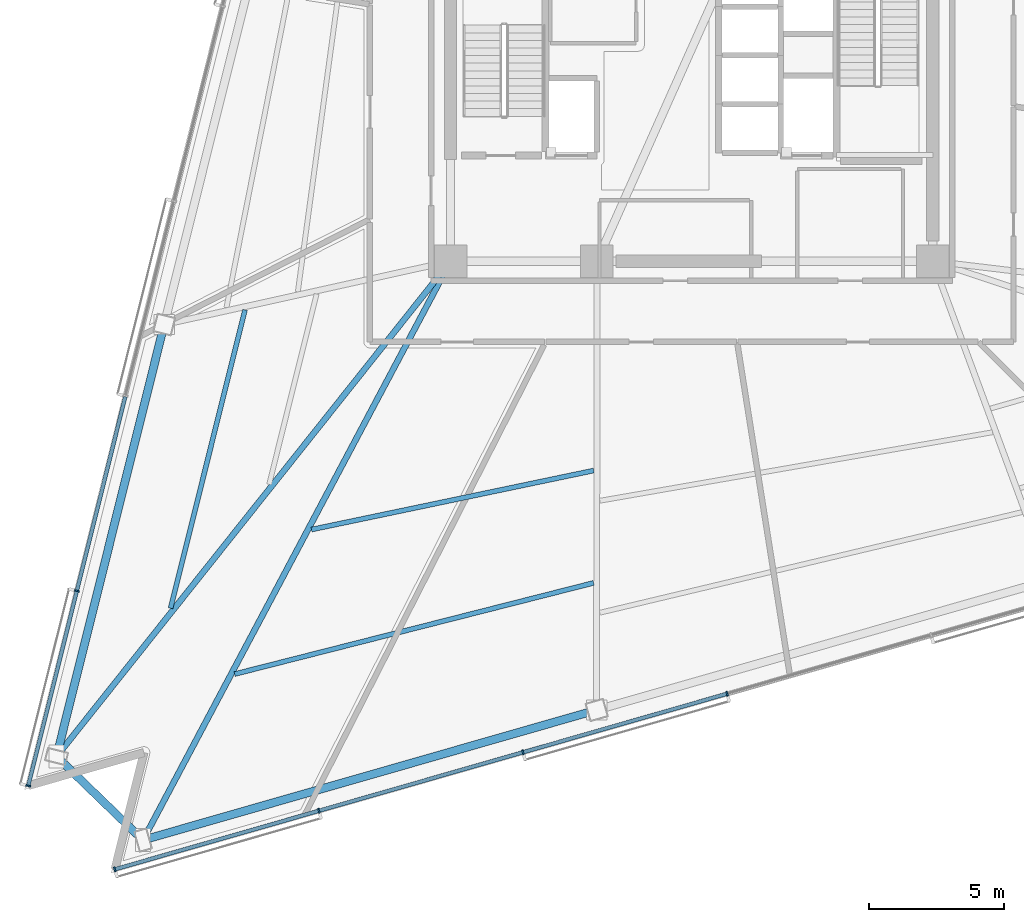
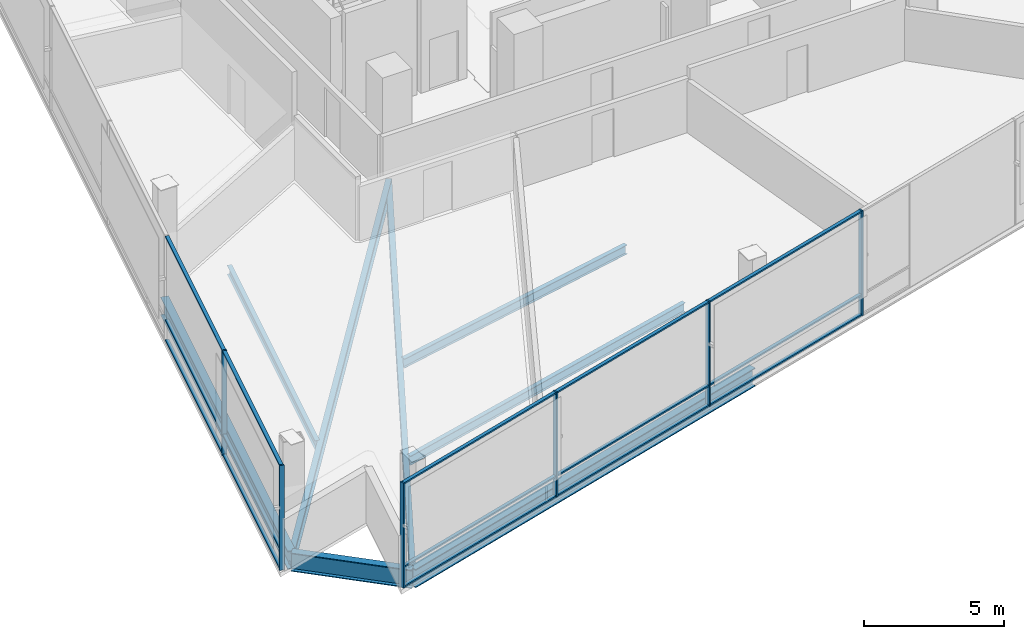
# One storey, part 2 of 18: 21 members, 8 beams, 2 elements without a shape of their own.
"""IFC4 building model written with IfcOpenShell, lengths in metres."""

from ifc_helpers import new_model, si_unit, direction, frame, origin, origin_2d, place, context, subcontext, project, spatial, rectangle, i_section, extrude, material, layer, layer_set, material_profile, profile_set, type_object, element, aggregate, save


model = new_model("IFC4")

# Units and contexts
model_context = context("Model", 3, precision=1e-05, world=origin(), true_north=direction((0.0, 1.0)))
body_context = subcontext(model_context, "Body", "Model", "MODEL_VIEW")
ifc_project = project(units=[si_unit("LENGTHUNIT", "METRE"), si_unit("AREAUNIT", "SQUARE_METRE"), si_unit("VOLUMEUNIT", "CUBIC_METRE"), si_unit("PLANEANGLEUNIT", "RADIAN"), si_unit("MASSUNIT", "GRAM", prefix="KILO")], contexts=[model_context])

# Site, building, storey
site_placement = place(None, origin())
site = spatial("IfcSite", under=ifc_project, at=site_placement, CompositionType="ELEMENT")
building_placement = place(site_placement, origin())
building = spatial("IfcBuilding", under=site, at=building_placement, Name="Tharavind Bronze Gate", CompositionType="ELEMENT")
storey_placement = place(building_placement, frame((0.0, 0.0, 107.699951171875)))
storey = spatial("IfcBuildingStorey", under=building, at=storey_placement, Name="L27", CompositionType="ELEMENT", Elevation=107.699951171875)

# Curtain wall, members
ifc_material_1 = material(Name="Anodised Bronze Aluminium", Category="aluminium")
ifc_layer = layer(ifc_material_1, 0.219970703125)
ifc_layer_set = layer_set([ifc_layer], Name="Anodised Bronze Aluminium")
curtain_wall_type = type_object("IfcCurtainWallType", Name="UNITISED CURTAIN WALL LOWER OFFICE", PredefinedType="USERDEFINED", material=ifc_layer_set)
curtain_wall_1_placement = place(storey_placement, origin())
curtain_wall_1 = element("IfcCurtainWall", 1, at=curtain_wall_1_placement, inside=storey, type_object=curtain_wall_type, Name="L27 unitised curtain wall lower office CW-L27-S1", ObjectType="UNITISED CURTAIN WALL", PredefinedType="USERDEFINED")
member_type_1 = type_object("IfcMemberType", Name="CURTAIN WALL BRONZE MULLION 65X180", PredefinedType="MULLION", material=ifc_material_1)
member_1_placement = place(storey_placement, frame((-22.695556640625, -19.76953125, 0.0), z_axis=(0.0, 0.0, 1.0), x_axis=(-0.2419218956, -0.970295726276, 0.0)))
member_1 = element("IfcMember", 2, at=member_1_placement, type_object=member_type_1, Name="CW-L27-S1 mullion 7", PredefinedType="MULLION", context=body_context, shape_type="SweptSolid", body=[
    extrude(rectangle(XDim=0.06494140625, YDim=0.179931640625, at=origin_2d()), origin(), (0.0, 0.0, 1.0), 4.56005859375),
])
member_2_placement = place(storey_placement, frame((-24.4892578125, -26.963623046875, 0.0), z_axis=(0.0, 0.0, 1.0), x_axis=(-0.2419218956, -0.970295726276, 0.0)))
member_2 = element("IfcMember", 3, at=member_2_placement, type_object=member_type_1, Name="CW-L27-S1 mullion 8", PredefinedType="MULLION", context=body_context, shape_type="SweptSolid", body=[
    extrude(rectangle(XDim=0.06494140625, YDim=0.179931640625, at=origin_2d()), origin(), (0.0, 0.0, 1.0), 4.56005859375),
])

curtain_wall_2_placement = place(storey_placement, origin())
curtain_wall_2 = element("IfcCurtainWall", 4, at=curtain_wall_2_placement, inside=storey, type_object=curtain_wall_type, Name="L27 unitised curtain wall lower office CW-L27-S2", ObjectType="UNITISED CURTAIN WALL", PredefinedType="USERDEFINED")
member_3_placement = place(storey_placement, frame((-21.29541015625, -30.0478515625, 0.0), z_axis=(0.0, 0.0, 1.0), x_axis=(0.961261695938, 0.275637355817, 0.0)))
member_3 = element("IfcMember", 5, at=member_3_placement, type_object=member_type_1, Name="CW-L27-S2 mullion 1", PredefinedType="MULLION", context=body_context, shape_type="SweptSolid", body=[
    extrude(rectangle(XDim=0.06494140625, YDim=0.179931640625, at=origin_2d()), origin(), (0.0, 0.0, 1.0), 4.56005859375),
])
member_4_placement = place(storey_placement, frame((-13.761962890625, -27.8876953125, 0.0), z_axis=(0.0, 0.0, 1.0), x_axis=(0.961261695938, 0.275637355817, 0.0)))
member_4 = element("IfcMember", 6, at=member_4_placement, type_object=member_type_1, Name="CW-L27-S2 mullion 2", PredefinedType="MULLION", context=body_context, shape_type="SweptSolid", body=[
    extrude(rectangle(XDim=0.06494140625, YDim=0.179931640625, at=origin_2d()), origin(), (0.0, 0.0, 1.0), 4.56005859375),
])
member_5_placement = place(storey_placement, frame((-6.228515625, -25.727294921875, 0.0), z_axis=(0.0, 0.0, 1.0), x_axis=(0.961261695938, 0.275637355817, 0.0)))
member_5 = element("IfcMember", 7, at=member_5_placement, type_object=member_type_1, Name="CW-L27-S2 mullion 3", PredefinedType="MULLION", context=body_context, shape_type="SweptSolid", body=[
    extrude(rectangle(XDim=0.06494140625, YDim=0.179931640625, at=origin_2d()), origin(), (0.0, 0.0, 1.0), 4.56005859375),
])
member_6_placement = place(storey_placement, frame((1.304931640625, -23.567138671875, 0.0), z_axis=(0.0, 0.0, 1.0), x_axis=(0.961261695938, 0.275637355817, 0.0)))
member_6 = element("IfcMember", 8, at=member_6_placement, type_object=member_type_1, Name="CW-L27-S2 mullion 4", PredefinedType="MULLION", context=body_context, shape_type="SweptSolid", body=[
    extrude(rectangle(XDim=0.06494140625, YDim=0.179931640625, at=origin_2d()), origin(), (0.0, 0.0, 1.0), 4.56005859375),
])

# Member
member_type_2 = type_object("IfcMemberType", Name="CURTAIN WALL BRONZE TRANSOM 65X140", PredefinedType="USERDEFINED", material=ifc_material_1)
member_7_placement = place(storey_placement, frame((-21.798828125, -16.172607421875, 0.0), z_axis=(0.0, 0.0, 1.0), x_axis=(-0.2419218956, -0.970295726276, 0.0)))
member_7 = element("IfcMember", 9, at=member_7_placement, type_object=member_type_2, Name="CW-L27-S1 transom TB6", ObjectType="TRANSOM", PredefinedType="USERDEFINED", context=body_context, shape_type="SweptSolid", body=[
    extrude(rectangle(XDim=7.361083984375, YDim=0.139892578125, at=origin_2d()), origin(), (0.0, 0.0, 1.0), 0.06494140625),
])

member_8_placement = place(storey_placement, frame((-21.798828125, -16.172607421875, 0.86767578125), z_axis=(0.0, 0.0, 1.0), x_axis=(-0.2419218956, -0.970295726276, 0.0)))
member_8 = element("IfcMember", 10, at=member_8_placement, type_object=member_type_2, Name="CW-L27-S1 transom TS6", ObjectType="TRANSOM", PredefinedType="USERDEFINED", context=body_context, shape_type="SweptSolid", body=[
    extrude(rectangle(XDim=7.361083984375, YDim=0.139892578125, at=origin_2d()), origin(), (0.0, 0.0, 1.0), 0.06494140625),
])

member_9_placement = place(storey_placement, frame((-21.798828125, -16.172607421875, 4.4951171875), z_axis=(0.0, 0.0, 1.0), x_axis=(-0.2419218956, -0.970295726276, 0.0)))
member_9 = element("IfcMember", 11, at=member_9_placement, type_object=member_type_2, Name="CW-L27-S1 transom TT6", ObjectType="TRANSOM", PredefinedType="USERDEFINED", context=body_context, shape_type="SweptSolid", body=[
    extrude(rectangle(XDim=7.361083984375, YDim=0.139892578125, at=origin_2d()), origin(), (0.0, 0.0, 1.0), 0.06494140625),
])

member_10_placement = place(storey_placement, frame((-23.592529296875, -23.36669921875, 0.0), z_axis=(0.0, 0.0, 1.0), x_axis=(-0.2419218956, -0.970295726276, 0.0)))
member_10 = element("IfcMember", 12, at=member_10_placement, type_object=member_type_2, Name="CW-L27-S1 transom TB7", ObjectType="TRANSOM", PredefinedType="USERDEFINED", context=body_context, shape_type="SweptSolid", body=[
    extrude(rectangle(XDim=7.361083984375, YDim=0.139892578125, at=origin_2d()), origin(), (0.0, 0.0, 1.0), 0.06494140625),
])

member_11_placement = place(storey_placement, frame((-23.592529296875, -23.36669921875, 0.86767578125), z_axis=(0.0, 0.0, 1.0), x_axis=(-0.2419218956, -0.970295726276, 0.0)))
member_11 = element("IfcMember", 13, at=member_11_placement, type_object=member_type_2, Name="CW-L27-S1 transom TS7", ObjectType="TRANSOM", PredefinedType="USERDEFINED", context=body_context, shape_type="SweptSolid", body=[
    extrude(rectangle(XDim=7.361083984375, YDim=0.139892578125, at=origin_2d()), origin(), (0.0, 0.0, 1.0), 0.06494140625),
])

member_12_placement = place(storey_placement, frame((-23.592529296875, -23.36669921875, 4.4951171875), z_axis=(0.0, 0.0, 1.0), x_axis=(-0.2419218956, -0.970295726276, 0.0)))
member_12 = element("IfcMember", 14, at=member_12_placement, type_object=member_type_2, Name="CW-L27-S1 transom TT7", ObjectType="TRANSOM", PredefinedType="USERDEFINED", context=body_context, shape_type="SweptSolid", body=[
    extrude(rectangle(XDim=7.361083984375, YDim=0.139892578125, at=origin_2d()), origin(), (0.0, 0.0, 1.0), 0.06494140625),
])

aggregate(curtain_wall_1, [member_1, member_2, member_7, member_8, member_9, member_10, member_11, member_12])

member_13_placement = place(storey_placement, frame((-17.52880859375, -28.9677734375, 0.0), z_axis=(0.0, 0.0, 1.0), x_axis=(0.961261695938, 0.275637355817, 0.0)))
member_13 = element("IfcMember", 15, at=member_13_placement, type_object=member_type_2, Name="CW-L27-S2 transom TB1", ObjectType="TRANSOM", PredefinedType="USERDEFINED", context=body_context, shape_type="SweptSolid", body=[
    extrude(rectangle(XDim=7.7841796875, YDim=0.139892578125, at=origin_2d()), origin(), (0.0, 0.0, 1.0), 0.06494140625),
])

member_14_placement = place(storey_placement, frame((-17.52880859375, -28.9677734375, 0.86767578125), z_axis=(0.0, 0.0, 1.0), x_axis=(0.961261695938, 0.275637355817, 0.0)))
member_14 = element("IfcMember", 16, at=member_14_placement, type_object=member_type_2, Name="CW-L27-S2 transom TS1", ObjectType="TRANSOM", PredefinedType="USERDEFINED", context=body_context, shape_type="SweptSolid", body=[
    extrude(rectangle(XDim=7.7841796875, YDim=0.139892578125, at=origin_2d()), origin(), (0.0, 0.0, 1.0), 0.06494140625),
])

member_15_placement = place(storey_placement, frame((-17.52880859375, -28.9677734375, 4.4951171875), z_axis=(0.0, 0.0, 1.0), x_axis=(0.961261695938, 0.275637355817, 0.0)))
member_15 = element("IfcMember", 17, at=member_15_placement, type_object=member_type_2, Name="CW-L27-S2 transom TT1", ObjectType="TRANSOM", PredefinedType="USERDEFINED", context=body_context, shape_type="SweptSolid", body=[
    extrude(rectangle(XDim=7.7841796875, YDim=0.139892578125, at=origin_2d()), origin(), (0.0, 0.0, 1.0), 0.06494140625),
])

member_16_placement = place(storey_placement, frame((-9.995361328125, -26.8076171875, 0.0), z_axis=(0.0, 0.0, 1.0), x_axis=(0.961261695938, 0.275637355817, 0.0)))
member_16 = element("IfcMember", 18, at=member_16_placement, type_object=member_type_2, Name="CW-L27-S2 transom TB2", ObjectType="TRANSOM", PredefinedType="USERDEFINED", context=body_context, shape_type="SweptSolid", body=[
    extrude(rectangle(XDim=7.7841796875, YDim=0.139892578125, at=origin_2d()), origin(), (0.0, 0.0, 1.0), 0.06494140625),
])

member_17_placement = place(storey_placement, frame((-9.995361328125, -26.8076171875, 0.86767578125), z_axis=(0.0, 0.0, 1.0), x_axis=(0.961261695938, 0.275637355817, 0.0)))
member_17 = element("IfcMember", 19, at=member_17_placement, type_object=member_type_2, Name="CW-L27-S2 transom TS2", ObjectType="TRANSOM", PredefinedType="USERDEFINED", context=body_context, shape_type="SweptSolid", body=[
    extrude(rectangle(XDim=7.7841796875, YDim=0.139892578125, at=origin_2d()), origin(), (0.0, 0.0, 1.0), 0.06494140625),
])

member_18_placement = place(storey_placement, frame((-9.995361328125, -26.8076171875, 4.4951171875), z_axis=(0.0, 0.0, 1.0), x_axis=(0.961261695938, 0.275637355817, 0.0)))
member_18 = element("IfcMember", 20, at=member_18_placement, type_object=member_type_2, Name="CW-L27-S2 transom TT2", ObjectType="TRANSOM", PredefinedType="USERDEFINED", context=body_context, shape_type="SweptSolid", body=[
    extrude(rectangle(XDim=7.7841796875, YDim=0.139892578125, at=origin_2d()), origin(), (0.0, 0.0, 1.0), 0.06494140625),
])

member_19_placement = place(storey_placement, frame((-2.4619140625, -24.647216796875, 0.0), z_axis=(0.0, 0.0, 1.0), x_axis=(0.961261695938, 0.275637355817, 0.0)))
member_19 = element("IfcMember", 21, at=member_19_placement, type_object=member_type_2, Name="CW-L27-S2 transom TB3", ObjectType="TRANSOM", PredefinedType="USERDEFINED", context=body_context, shape_type="SweptSolid", body=[
    extrude(rectangle(XDim=7.7841796875, YDim=0.139892578125, at=origin_2d()), origin(), (0.0, 0.0, 1.0), 0.06494140625),
])

member_20_placement = place(storey_placement, frame((-2.4619140625, -24.647216796875, 0.86767578125), z_axis=(0.0, 0.0, 1.0), x_axis=(0.961261695938, 0.275637355817, 0.0)))
member_20 = element("IfcMember", 22, at=member_20_placement, type_object=member_type_2, Name="CW-L27-S2 transom TS3", ObjectType="TRANSOM", PredefinedType="USERDEFINED", context=body_context, shape_type="SweptSolid", body=[
    extrude(rectangle(XDim=7.7841796875, YDim=0.139892578125, at=origin_2d()), origin(), (0.0, 0.0, 1.0), 0.06494140625),
])

member_21_placement = place(storey_placement, frame((-2.4619140625, -24.647216796875, 4.4951171875), z_axis=(0.0, 0.0, 1.0), x_axis=(0.961261695938, 0.275637355817, 0.0)))
member_21 = element("IfcMember", 23, at=member_21_placement, type_object=member_type_2, Name="CW-L27-S2 transom TT3", ObjectType="TRANSOM", PredefinedType="USERDEFINED", context=body_context, shape_type="SweptSolid", body=[
    extrude(rectangle(XDim=7.7841796875, YDim=0.139892578125, at=origin_2d()), origin(), (0.0, 0.0, 1.0), 0.06494140625),
])

aggregate(curtain_wall_2, [member_3, member_4, member_5, member_6, member_13, member_14, member_15, member_16, member_17, member_18, member_19, member_20, member_21])

# Beams
ifc_material_2 = material(Name="Steel S355", Category="steel")
ifc_material_profile_1 = material_profile(ifc_material_2, i_section(OverallWidth=0.219970703125, OverallDepth=0.60009765625, WebThickness=0.011962890625, FlangeThickness=0.01904296875, at=origin_2d()), Name="IPE600")
ifc_profile_set_1 = profile_set([ifc_material_profile_1], Name="Steel S355")
beam_type_1 = type_object("IfcBeamType", Name="PRIMARY GIRDER IPE600", PredefinedType="USERDEFINED", material=ifc_profile_set_1)
beam_1_placement = place(storey_placement, frame((-23.447265625, -25.884521484375, -0.489990234375), z_axis=(0.622600502265, 0.782539848557, 0.0), x_axis=(-0.782539848557, 0.622600502265, 0.0)))
element("IfcBeam", 24, at=beam_1_placement, inside=storey, type_object=beam_type_1, Name="L27 primary girder ipe600 BM-L27-RAD04", ObjectType="GIRDER", PredefinedType="USERDEFINED", context=body_context, shape_type="SweptSolid", body=[
    extrude(i_section(OverallWidth=0.219970703125, OverallDepth=0.60009765625, WebThickness=0.011962890625, FlangeThickness=0.01904296875, at=origin_2d()), origin(), (0.0, 0.0, 1.0), 23.365478515625),
])
beam_2_placement = place(storey_placement, frame((-20.25341796875, -28.96875, -0.489990234375), z_axis=(0.469200962238, 0.883091420542, 0.0), x_axis=(-0.883091420542, 0.469200962238, 0.0)))
element("IfcBeam", 25, at=beam_2_placement, inside=storey, type_object=beam_type_1, Name="L27 primary girder ipe600 BM-L27-RAD05", ObjectType="GIRDER", PredefinedType="USERDEFINED", context=body_context, shape_type="SweptSolid", body=[
    extrude(i_section(OverallWidth=0.219970703125, OverallDepth=0.60009765625, WebThickness=0.011962890625, FlangeThickness=0.01904296875, at=origin_2d()), origin(), (0.0, 0.0, 1.0), 24.197509765625),
])
ifc_material_profile_2 = material_profile(ifc_material_2, i_section(OverallWidth=0.300048828125, OverallDepth=0.800048828125, WebThickness=0.017578125, FlangeThickness=0.032958984375, at=origin_2d()), Name="HE800B")
ifc_profile_set_2 = profile_set([ifc_material_profile_2], Name="Steel S355")
beam_type_2 = type_object("IfcBeamType", Name="RING GIRDER HE800B", PredefinedType="USERDEFINED", material=ifc_profile_set_2)
beam_3_placement = place(storey_placement, frame((-19.4716796875, -9.93896484375, -0.58984375), z_axis=(-0.24191686251, -0.970296981152, 0.0), x_axis=(0.970296981152, -0.24191686251, 0.0)))
element("IfcBeam", 26, at=beam_3_placement, inside=storey, type_object=beam_type_2, Name="L27 ring girder he800b BM-L27-PRG03", ObjectType="GIRDER", PredefinedType="USERDEFINED", context=body_context, shape_type="SweptSolid", body=[
    extrude(i_section(OverallWidth=0.300048828125, OverallDepth=0.800048828125, WebThickness=0.017578125, FlangeThickness=0.032958984375, at=origin_2d()), origin(), (0.0, 0.0, 1.0), 16.43359375),
])
beam_4_placement = place(storey_placement, frame((-23.447265625, -25.884521484375, -0.58984375), z_axis=(0.719343662261, -0.694654371299, 0.0), x_axis=(0.694654371299, 0.719343662261, 0.0)))
element("IfcBeam", 27, at=beam_4_placement, inside=storey, type_object=beam_type_2, Name="L27 ring girder he800b BM-L27-PRG04", ObjectType="GIRDER", PredefinedType="USERDEFINED", context=body_context, shape_type="SweptSolid", body=[
    extrude(i_section(OverallWidth=0.300048828125, OverallDepth=0.800048828125, WebThickness=0.017578125, FlangeThickness=0.032958984375, at=origin_2d()), origin(), (0.0, 0.0, 1.0), 4.43994140625),
])
beam_5_placement = place(storey_placement, frame((-20.25341796875, -28.96875, -0.58984375), z_axis=(0.961261198388, 0.275639090974, 0.0), x_axis=(-0.275639090974, 0.961261198388, 0.0)))
element("IfcBeam", 28, at=beam_5_placement, inside=storey, type_object=beam_type_2, Name="L27 ring girder he800b BM-L27-PRG05", ObjectType="GIRDER", PredefinedType="USERDEFINED", context=body_context, shape_type="SweptSolid", body=[
    extrude(i_section(OverallWidth=0.300048828125, OverallDepth=0.800048828125, WebThickness=0.017578125, FlangeThickness=0.032958984375, at=origin_2d()), origin(), (0.0, 0.0, 1.0), 17.42041015625),
])
ifc_material_profile_3 = material_profile(ifc_material_2, i_section(OverallWidth=0.179931640625, OverallDepth=0.39990234375, WebThickness=0.008544921875, FlangeThickness=0.013427734375, at=origin_2d()), Name="IPE400")
ifc_profile_set_3 = profile_set([ifc_material_profile_3], Name="Steel S355")
beam_type_3 = type_object("IfcBeamType", Name="SECONDARY FLOOR JOIST IPE400", PredefinedType="JOIST", material=ifc_profile_set_3)
beam_6_placement = place(storey_placement, frame((-16.489501953125, -9.3955078125, -0.389892578125), z_axis=(-0.241903146974, -0.970300400641, 0.0), x_axis=(0.970300400641, -0.241903146974, 0.0)))
element("IfcBeam", 29, at=beam_6_placement, inside=storey, type_object=beam_type_3, Name="L27 secondary floor joist ipe400 BM-L27-JSTB03", PredefinedType="JOIST", context=body_context, shape_type="SweptSolid", body=[
    extrude(i_section(OverallWidth=0.179931640625, OverallDepth=0.39990234375, WebThickness=0.008544921875, FlangeThickness=0.013427734375, at=origin_2d()), origin(), (0.0, 0.0, 1.0), 11.35400390625),
])
beam_7_placement = place(storey_placement, frame((-14.035400390625, -17.50634765625, -0.389892578125), z_axis=(0.97881885556, 0.204728229614, 0.0), x_axis=(-0.204728229614, 0.97881885556, 0.0)))
element("IfcBeam", 30, at=beam_7_placement, inside=storey, type_object=beam_type_3, Name="L27 secondary floor joist ipe400 BM-L27-JSTA05", PredefinedType="JOIST", context=body_context, shape_type="SweptSolid", body=[
    extrude(i_section(OverallWidth=0.179931640625, OverallDepth=0.39990234375, WebThickness=0.008544921875, FlangeThickness=0.013427734375, at=origin_2d()), origin(), (0.0, 0.0, 1.0), 10.64306640625),
])
beam_8_placement = place(storey_placement, frame((-16.869873046875, -22.841064453125, -0.389892578125), z_axis=(0.969204659951, 0.246256628601, 0.0), x_axis=(-0.246256628601, 0.969204659951, 0.0)))
element("IfcBeam", 31, at=beam_8_placement, inside=storey, type_object=beam_type_3, Name="L27 secondary floor joist ipe400 BM-L27-JSTB05", PredefinedType="JOIST", context=body_context, shape_type="SweptSolid", body=[
    extrude(i_section(OverallWidth=0.179931640625, OverallDepth=0.39990234375, WebThickness=0.008544921875, FlangeThickness=0.013427734375, at=origin_2d()), origin(), (0.0, 0.0, 1.0), 13.67138671875),
])

save(model, "model.ifc")
